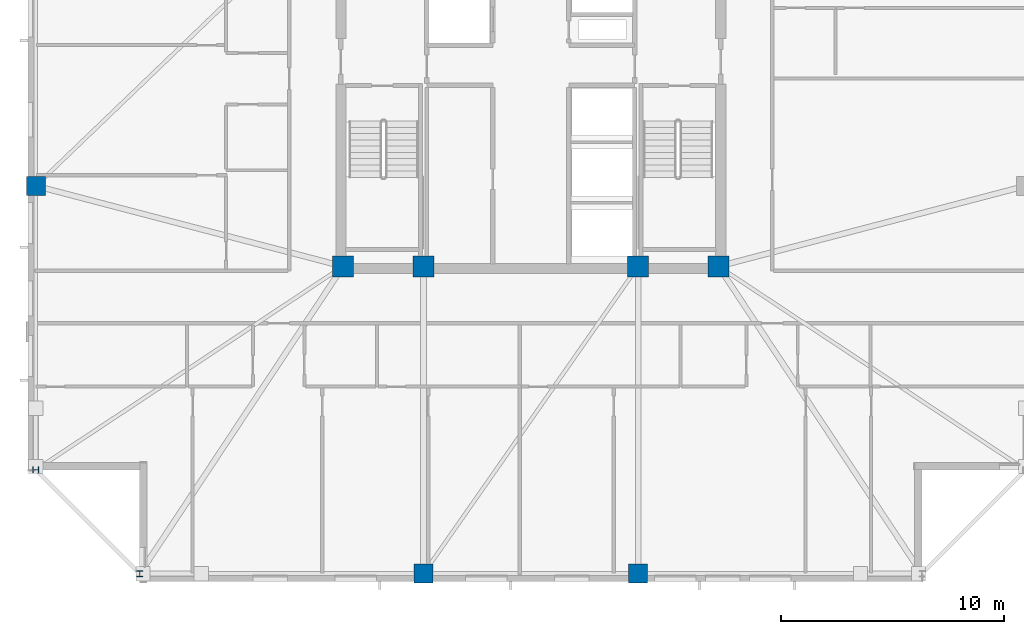
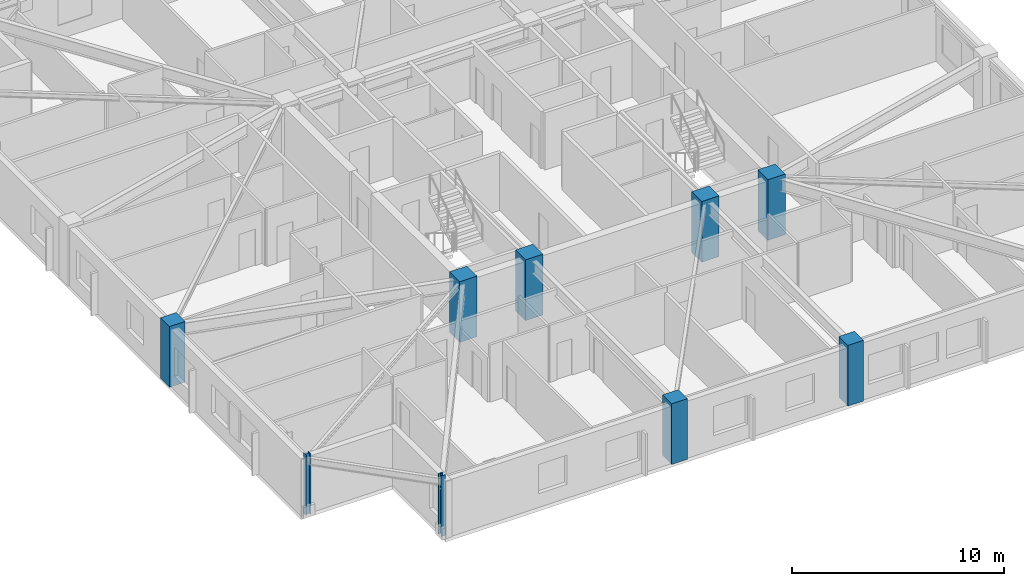
# One storey, part 1 of 17: 9 columns.
"""IFC4 building model written with IfcOpenShell, lengths in metres."""

from ifc_helpers import new_model, si_unit, direction, frame, origin, origin_2d, place, context, subcontext, project, spatial, rectangle, i_section, extrude, material, material_profile, profile_set, type_object, element, save


model = new_model("IFC4")

# Units and contexts
model_context = context("Model", 3, precision=1e-05, world=origin(), true_north=direction((0.0, 1.0)))
body_context = subcontext(model_context, "Body", "Model", "MODEL_VIEW")
ifc_project = project(units=[si_unit("LENGTHUNIT", "METRE"), si_unit("AREAUNIT", "SQUARE_METRE"), si_unit("VOLUMEUNIT", "CUBIC_METRE"), si_unit("PLANEANGLEUNIT", "RADIAN"), si_unit("MASSUNIT", "GRAM", prefix="KILO")], contexts=[model_context])

# Site, building, storey
site_placement = place(None, origin())
site = spatial("IfcSite", under=ifc_project, at=site_placement, CompositionType="ELEMENT")
building_placement = place(site_placement, origin())
building = spatial("IfcBuilding", under=site, at=building_placement, Name="Cairnveth Concourse Tower", CompositionType="ELEMENT")
storey_placement = place(building_placement, frame((0.0, 0.0, 202.5)))
storey = spatial("IfcBuildingStorey", under=building, at=storey_placement, Name="L55", CompositionType="ELEMENT", Elevation=202.5)

# Columns
ifc_material_1 = material(Name="Concrete N65 (65 MPa)", Category="concrete")
ifc_material_profile_1 = material_profile(ifc_material_1, rectangle(XDim=0.949951171875, YDim=0.949951171875, at=origin_2d()), Name="RC-COL-950x950")
ifc_profile_set_1 = profile_set([ifc_material_profile_1], Name="Concrete N65 (65 MPa)")
column_type_1 = type_object("IfcColumnType", Name="CORE COLUMN 950X950", PredefinedType="COLUMN", material=ifc_profile_set_1)
for number, where, z_axis, x_axis, name in (
    (1, (43.60009765625, 30.60009765625, 0.0), (0.0, 0.0, 1.0), (1.0, 0.0, 0.0), "Column CC1 L55"),
    (2, (47.199951171875, 30.60009765625, 0.0), (0.0, 0.0, 1.0), (1.0, 0.0, 0.0), "Column CC2 L55"),
    (3, (56.800048828125, 30.60009765625, 0.0), (0.0, 0.0, 1.0), (1.0, 0.0, 0.0), "Column CC3 L55"),
    (4, (60.39990234375, 30.60009765625, 0.0), (0.0, 0.0, 1.0), (1.0, 0.0, 0.0), "Column CC4 L55"),
):
    element("IfcColumn", number, at=place(storey_placement, frame(where, z_axis=z_axis, x_axis=x_axis)), inside=storey, type_object=column_type_1, Name=name, PredefinedType="COLUMN", context=body_context, shape_type="SweptSolid", body=[
        extrude(rectangle(XDim=0.949951171875, YDim=0.949951171875, at=origin_2d()), origin(), (0.0, 0.0, 1.0), 3.5),
    ])
ifc_material_profile_2 = material_profile(ifc_material_1, rectangle(XDim=0.85009765625, YDim=0.85009765625, at=origin_2d()), Name="RC-COL-850x850")
ifc_profile_set_2 = profile_set([ifc_material_profile_2], Name="Concrete N65 (65 MPa)")
column_type_2 = type_object("IfcColumnType", Name="PERIMETER PIER COLUMN 850X850", PredefinedType="COLUMN", material=ifc_profile_set_2)
for number, where, z_axis, x_axis, name in (
    (5, (47.199951171875, 16.85009765625, 0.0), (0.0, 0.0, 1.0), (1.0, 0.0, 0.0), "Column P-S2 L55"),
    (6, (56.800048828125, 16.85009765625, 0.0), (0.0, 0.0, 1.0), (1.0, 0.0, 0.0), "Column P-S3 L55"),
    (7, (29.85009765625, 34.199951171875, 0.0), (0.0, 0.0, 1.0), (0.0, 1.0, 0.0), "Column P-W3 L55"),
):
    element("IfcColumn", number, at=place(storey_placement, frame(where, z_axis=z_axis, x_axis=x_axis)), inside=storey, type_object=column_type_2, Name=name, PredefinedType="COLUMN", context=body_context, shape_type="SweptSolid", body=[
        extrude(rectangle(XDim=0.85009765625, YDim=0.85009765625, at=origin_2d()), origin(), (0.0, 0.0, 1.0), 3.5),
    ])
ifc_material_2 = material(Name="Steel Grade 350", Category="steel")
ifc_material_profile_3 = material_profile(ifc_material_2, i_section(OverallWidth=0.256103515625, OverallDepth=0.260009765625, WebThickness=0.010498046875, FlangeThickness=0.017333984375, FilletRadius=0.012939453125, at=origin_2d()), Name="250UC89.5")
ifc_profile_set_3 = profile_set([ifc_material_profile_3], Name="Steel Grade 350")
column_type_3 = type_object("IfcColumnType", Name="UNIVERSAL STEEL COLUMN 250UC89.5", PredefinedType="COLUMN", material=ifc_profile_set_3)
for number, where, z_axis, x_axis, name in (
    (8, (34.5, 16.85009765625, 0.0), (0.0, 0.0, 1.0), (1.0, 0.0, 0.0), "Column P-S1 L55"),
    (9, (29.85009765625, 21.5, 0.0), (0.0, 0.0, 1.0), (0.0, 1.0, 0.0), "Column P-W4 L55"),
):
    element("IfcColumn", number, at=place(storey_placement, frame(where, z_axis=z_axis, x_axis=x_axis)), inside=storey, type_object=column_type_3, Name=name, PredefinedType="COLUMN", context=body_context, shape_type="SweptSolid", body=[
        extrude(i_section(OverallWidth=0.256103515625, OverallDepth=0.260009765625, WebThickness=0.010498046875, FlangeThickness=0.017333984375, FilletRadius=0.012939453125, at=origin_2d()), origin(), (0.0, 0.0, 1.0), 3.5),
    ])

save(model, "model.ifc")
